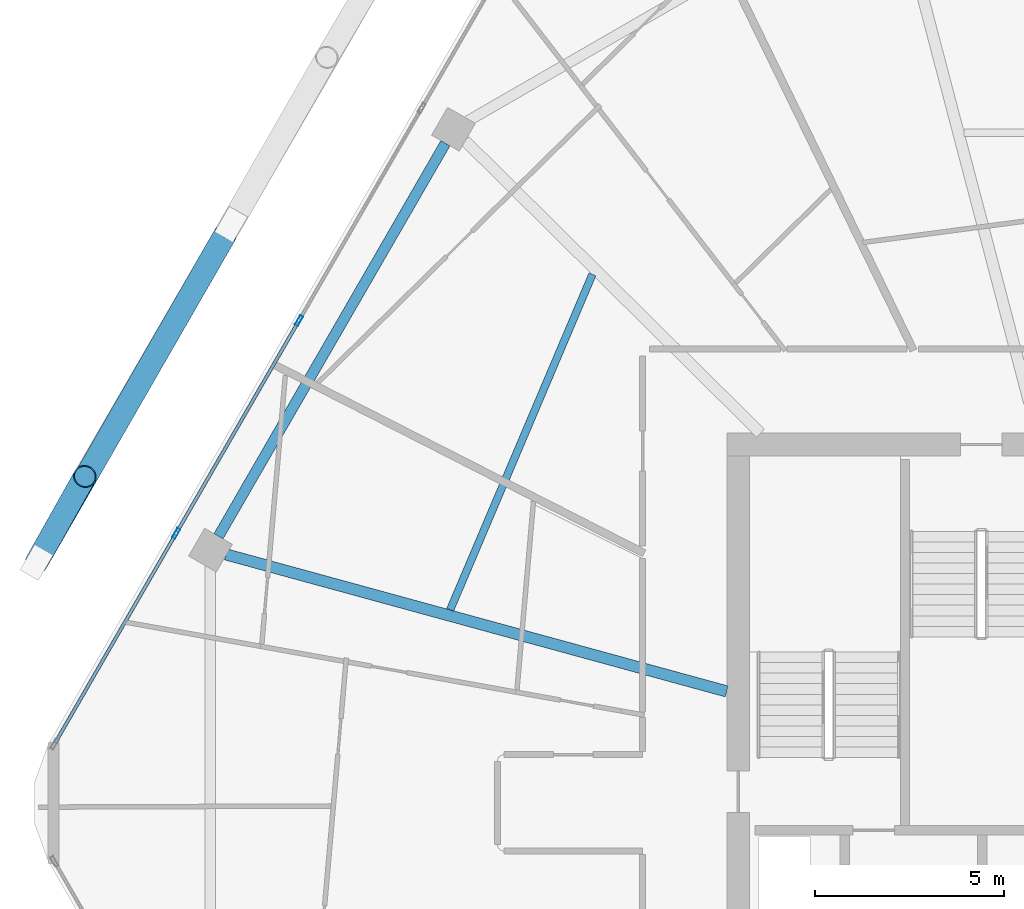
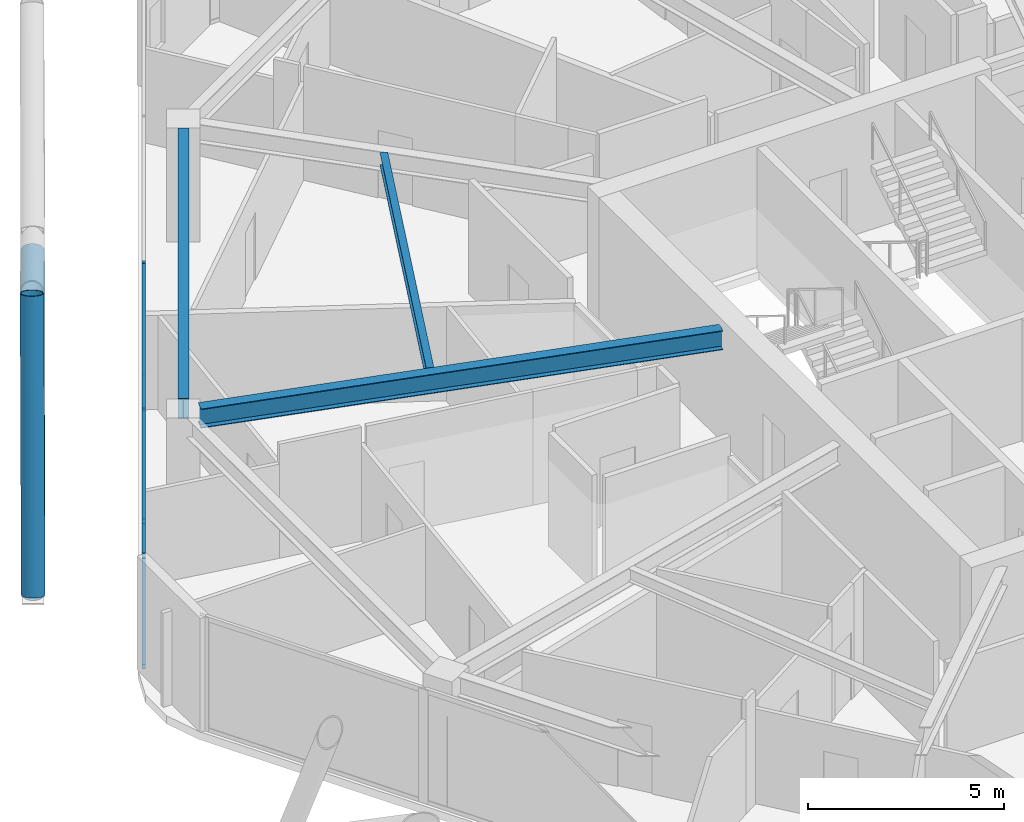
# One storey, part 12 of 27: 8 members, 3 beams, 1 element without a shape of its own.
"""IFC4 building model written with IfcOpenShell, lengths in metres."""

from ifc_helpers import new_model, si_unit, direction, frame, origin, origin_2d, place, context, subcontext, project, spatial, hollow_rectangle, hollow_circle, i_section, extrude, material, material_profile, profile_set, type_object, element, aggregate, save


model = new_model("IFC4")

# Units and contexts
model_context = context("Model", 3, precision=1e-05, world=origin(), true_north=direction((0.0, 1.0)))
body_context = subcontext(model_context, "Body", "Model", "MODEL_VIEW")
ifc_project = project(units=[si_unit("LENGTHUNIT", "METRE"), si_unit("AREAUNIT", "SQUARE_METRE"), si_unit("VOLUMEUNIT", "CUBIC_METRE"), si_unit("PLANEANGLEUNIT", "RADIAN"), si_unit("MASSUNIT", "GRAM", prefix="KILO")], contexts=[model_context])

# Site, building, storey
site_placement = place(None, origin())
site = spatial("IfcSite", under=ifc_project, at=site_placement, CompositionType="ELEMENT")
building_placement = place(site_placement, origin())
building = spatial("IfcBuilding", under=site, at=building_placement, Name="Zuhravey Tower", CompositionType="ELEMENT")
storey_placement = place(building_placement, frame((0.0, 0.0, 276.800048828125)))
storey = spatial("IfcBuildingStorey", under=building, at=storey_placement, Name="L70", CompositionType="ELEMENT", Elevation=276.800048828125)

# Curtain wall, members
ifc_material_1 = material(Name="Thermally broken anodised aluminium", Category="aluminium")
curtain_wall_type = type_object("IfcCurtainWallType", Name="Zone 3-4 High-Rise Curtain Wall CW4", PredefinedType="NOTDEFINED", material=ifc_material_1)
curtain_wall_placement = place(storey_placement, origin())
curtain_wall = element("IfcCurtainWall", 1, at=curtain_wall_placement, inside=storey, type_object=curtain_wall_type, Name="L70 CW4 CW-L70-F3-1", PredefinedType="NOTDEFINED")
ifc_material_2 = material(Name="Anodised aluminium", Category="aluminium")
ifc_material_profile_1 = material_profile(ifc_material_2, hollow_rectangle(XDim=0.090087890625, YDim=0.284912109375, WallThickness=0.0048828125, at=origin_2d()), Name="ALU-RHS-90x285x5")
ifc_profile_set_1 = profile_set([ifc_material_profile_1], Name="Anodised aluminium")
member_type_1 = type_object("IfcMemberType", Name="Curtain-Wall Mullion 90x180", PredefinedType="MULLION", material=ifc_profile_set_1)
member_1_placement = place(storey_placement, frame((10.608154296875, 39.147216796875, 0.0), z_axis=(0.0, 0.0, 1.0), x_axis=(-0.866024851021, 0.500000957414, 0.0)))
member_1 = element("IfcMember", 2, at=member_1_placement, type_object=member_type_1, Name="CW4 mullion 2", PredefinedType="MULLION", context=body_context, shape_type="SweptSolid", body=[
    extrude(hollow_rectangle(XDim=0.090087890625, YDim=0.284912109375, WallThickness=0.0048828125, at=origin_2d()), origin(), (0.0, 0.0, 1.0), 3.550048828125),
])
member_2_placement = place(storey_placement, frame((13.861328125, 44.78173828125, 0.0), z_axis=(0.0, 0.0, 1.0), x_axis=(-0.866024851021, 0.500000957414, 0.0)))
member_2 = element("IfcMember", 3, at=member_2_placement, type_object=member_type_1, Name="CW4 mullion 3", PredefinedType="MULLION", context=body_context, shape_type="SweptSolid", body=[
    extrude(hollow_rectangle(XDim=0.090087890625, YDim=0.284912109375, WallThickness=0.0048828125, at=origin_2d()), origin(), (0.0, 0.0, 1.0), 3.550048828125),
])
ifc_material_profile_2 = material_profile(ifc_material_2, hollow_rectangle(XDim=0.090087890625, YDim=0.14990234375, WallThickness=0.0048828125, at=origin_2d()), Name="ALU-RHS-90x150x5")
ifc_profile_set_2 = profile_set([ifc_material_profile_2], Name="Anodised aluminium")
member_type_2 = type_object("IfcMemberType", Name="Curtain-Wall Transom 90x150", PredefinedType="USERDEFINED", material=ifc_profile_set_2)
member_3_placement = place(storey_placement, frame((7.39990234375, 33.59033203125, 0.044921875), z_axis=(0.500008810174, 0.866020317169, 0.0), x_axis=(-0.866020317169, 0.500008810174, 0.0)))
member_3 = element("IfcMember", 4, at=member_3_placement, type_object=member_type_2, Name="CW4 transom 1.1", ObjectType="TRANSOM", PredefinedType="USERDEFINED", context=body_context, shape_type="SweptSolid", body=[
    extrude(hollow_rectangle(XDim=0.090087890625, YDim=0.14990234375, WallThickness=0.0048828125, at=origin_2d()), origin(), (0.0, 0.0, 1.0), 6.37158203125),
])
member_4_placement = place(storey_placement, frame((7.39990234375, 33.59033203125, 3.5048828125), z_axis=(0.500008810174, 0.866020317169, 0.0), x_axis=(-0.866020317169, 0.500008810174, 0.0)))
member_4 = element("IfcMember", 5, at=member_4_placement, type_object=member_type_2, Name="CW4 transom 1.2", ObjectType="TRANSOM", PredefinedType="USERDEFINED", context=body_context, shape_type="SweptSolid", body=[
    extrude(hollow_rectangle(XDim=0.090087890625, YDim=0.14990234375, WallThickness=0.0048828125, at=origin_2d()), origin(), (0.0, 0.0, 1.0), 6.37158203125),
])
member_5_placement = place(storey_placement, frame((10.630615234375, 39.18603515625, 0.044921875), z_axis=(0.499998017366, 0.866026548456, 0.0), x_axis=(-0.866026548456, 0.499998017366, 0.0)))
member_5 = element("IfcMember", 6, at=member_5_placement, type_object=member_type_2, Name="CW4 transom 2.1", ObjectType="TRANSOM", PredefinedType="USERDEFINED", context=body_context, shape_type="SweptSolid", body=[
    extrude(hollow_rectangle(XDim=0.090087890625, YDim=0.14990234375, WallThickness=0.0048828125, at=origin_2d()), origin(), (0.0, 0.0, 1.0), 6.41650390625),
])
member_6_placement = place(storey_placement, frame((10.630615234375, 39.18603515625, 3.5048828125), z_axis=(0.499998017366, 0.866026548456, 0.0), x_axis=(-0.866026548456, 0.499998017366, 0.0)))
member_6 = element("IfcMember", 7, at=member_6_placement, type_object=member_type_2, Name="CW4 transom 2.2", ObjectType="TRANSOM", PredefinedType="USERDEFINED", context=body_context, shape_type="SweptSolid", body=[
    extrude(hollow_rectangle(XDim=0.090087890625, YDim=0.14990234375, WallThickness=0.0048828125, at=origin_2d()), origin(), (0.0, 0.0, 1.0), 6.41650390625),
])
aggregate(curtain_wall, [member_1, member_2, member_3, member_4, member_5, member_6])

# Members
ifc_material_3 = material(Name="Steel SM355", Category="steel")
ifc_material_profile_3 = material_profile(ifc_material_3, hollow_circle(Radius=0.3046875, WallThickness=0.028076171875, at=origin_2d()), Name="CHS-609.6x28")
ifc_profile_set_3 = profile_set([ifc_material_profile_3], Name="Steel SM355")
member_type_3 = type_object("IfcMemberType", Name="Exoskeleton Zone 3 Diagrid CHS610x28", PredefinedType="BRACE", material=ifc_profile_set_3)
member_7_placement = place(storey_placement, frame((6.90771484375, 38.3779296875, -0.446044921875), z_axis=(0.159795415744, 0.28422652237, 0.945346872364), x_axis=(-0.871682978645, 0.490070183485, 0.0)))
element("IfcMember", 8, at=member_7_placement, inside=storey, type_object=member_type_3, Name="L70 Face 3 Diagrid Brace 4", PredefinedType="BRACE", context=body_context, shape_type="SweptSolid", body=[
    extrude(hollow_circle(Radius=0.3046875, WallThickness=0.028076171875, at=origin_2d()), origin(), (0.0, 0.0, 1.0), 8.001220703125),
])
member_8_placement = place(storey_placement, frame((6.923583984375, 38.40576171875, -0.449951171875), z_axis=(0.468138883888, 0.813545326368, 0.344949253278), x_axis=(-0.866744974828, 0.498751590084, 0.0)))
element("IfcMember", 9, at=member_8_placement, inside=storey, type_object=member_type_3, Name="L70 Face 3 Split Diagrid Brace 3A", PredefinedType="BRACE", context=body_context, shape_type="SweptSolid", body=[
    extrude(hollow_circle(Radius=0.3046875, WallThickness=0.028076171875, at=origin_2d()), origin(), (0.0, 0.0, 1.0), 10.68017578125),
])

# Beams
ifc_material_profile_4 = material_profile(ifc_material_3, i_section(OverallWidth=0.280029296875, OverallDepth=0.6201171875, WebThickness=0.011962890625, FlangeThickness=0.02001953125, at=origin_2d()), Name="H-620x280x12x20")
ifc_profile_set_4 = profile_set([ifc_material_profile_4], Name="Steel SM355")
beam_type_1 = type_object("IfcBeamType", Name="Perimeter Ring Beam H620x280", PredefinedType="BEAM", material=ifc_profile_set_4)
beam_1_placement = place(storey_placement, frame((17.742431640625, 49.484130859375, 3.239990234375), z_axis=(-0.500005971936, -0.866021955858, 0.0), x_axis=(0.866021955858, -0.500005971936, 0.0)))
element("IfcBeam", 10, at=beam_1_placement, inside=storey, type_object=beam_type_1, Name="L70 PB3 BM-L70-PB-05", PredefinedType="BEAM", context=body_context, shape_type="SweptSolid", body=[
    extrude(i_section(OverallWidth=0.280029296875, OverallDepth=0.6201171875, WebThickness=0.011962890625, FlangeThickness=0.02001953125, at=origin_2d()), origin(), (0.0, 0.0, 1.0), 12.025634765625),
])
ifc_material_profile_5 = material_profile(ifc_material_3, i_section(OverallWidth=0.300048828125, OverallDepth=0.60009765625, WebThickness=0.011962890625, FlangeThickness=0.02001953125, at=origin_2d()), Name="H-600x300x12x20")
ifc_profile_set_5 = profile_set([ifc_material_profile_5], Name="Steel SM355")
beam_type_2 = type_object("IfcBeamType", Name="Radial Primary Girder H600x300", PredefinedType="BEAM", material=ifc_profile_set_5)
beam_2_placement = place(storey_placement, frame((25.197021484375, 34.95556640625, 3.25), z_axis=(-0.964549305009, 0.263902705947, 0.0), x_axis=(-0.263902705947, -0.964549305009, 0.0)))
element("IfcBeam", 11, at=beam_2_placement, inside=storey, type_object=beam_type_2, Name="L70 RG3 BM-L70-RAD-06", PredefinedType="BEAM", context=body_context, shape_type="SweptSolid", body=[
    extrude(i_section(OverallWidth=0.300048828125, OverallDepth=0.60009765625, WebThickness=0.011962890625, FlangeThickness=0.02001953125, at=origin_2d()), origin(), (0.0, 0.0, 1.0), 13.756591796875),
])
ifc_material_profile_6 = material_profile(ifc_material_3, i_section(OverallWidth=0.199951171875, OverallDepth=0.39990234375, WebThickness=0.008056640625, FlangeThickness=0.012939453125, at=origin_2d()), Name="H-400x200x8x13")
ifc_profile_set_6 = profile_set([ifc_material_profile_6], Name="Steel SM355")
beam_type_3 = type_object("IfcBeamType", Name="Secondary Floor Joist H400x200", PredefinedType="JOIST", material=ifc_profile_set_6)
beam_3_placement = place(storey_placement, frame((21.63916015625, 46.009033203125, 3.349853515625), z_axis=(-0.390413493754, -0.920639616731, 0.0), x_axis=(0.920639616731, -0.390413493754, 0.0)))
element("IfcBeam", 12, at=beam_3_placement, inside=storey, type_object=beam_type_3, Name="L70 SJ2 BM-L70-SJ-05-1", PredefinedType="JOIST", context=body_context, shape_type="SweptSolid", body=[
    extrude(i_section(OverallWidth=0.199951171875, OverallDepth=0.39990234375, WebThickness=0.008056640625, FlangeThickness=0.012939453125, at=origin_2d()), origin(), (0.0, 0.0, 1.0), 9.656494140625),
])

save(model, "model.ifc")
